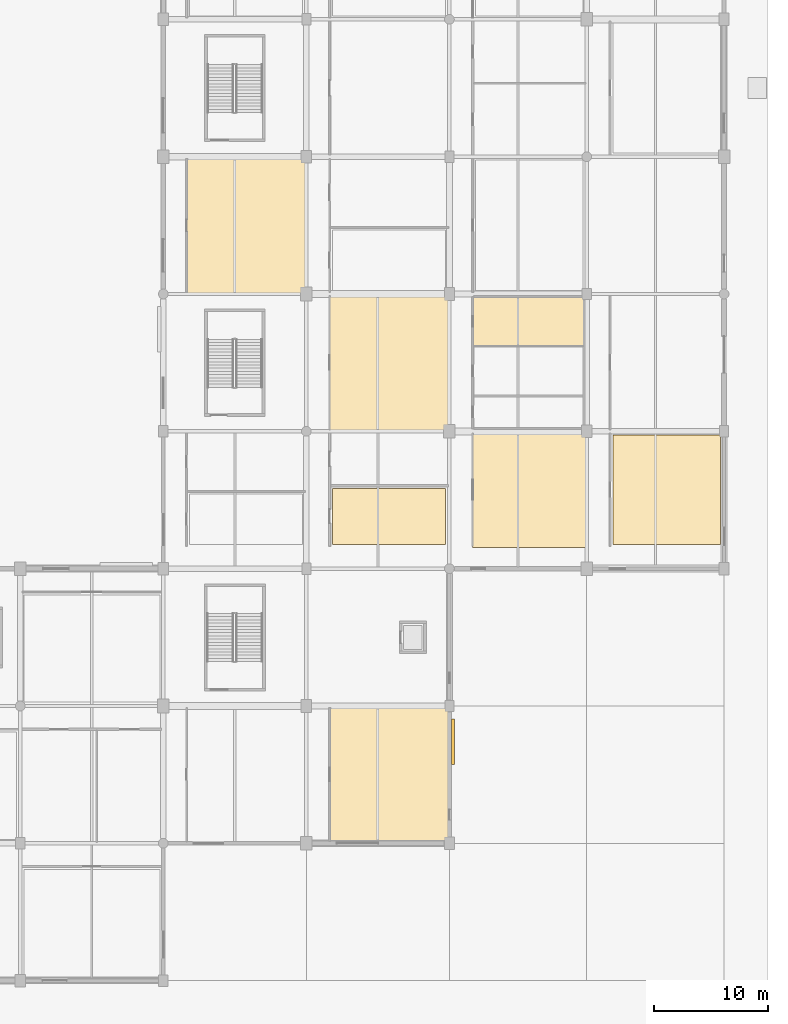
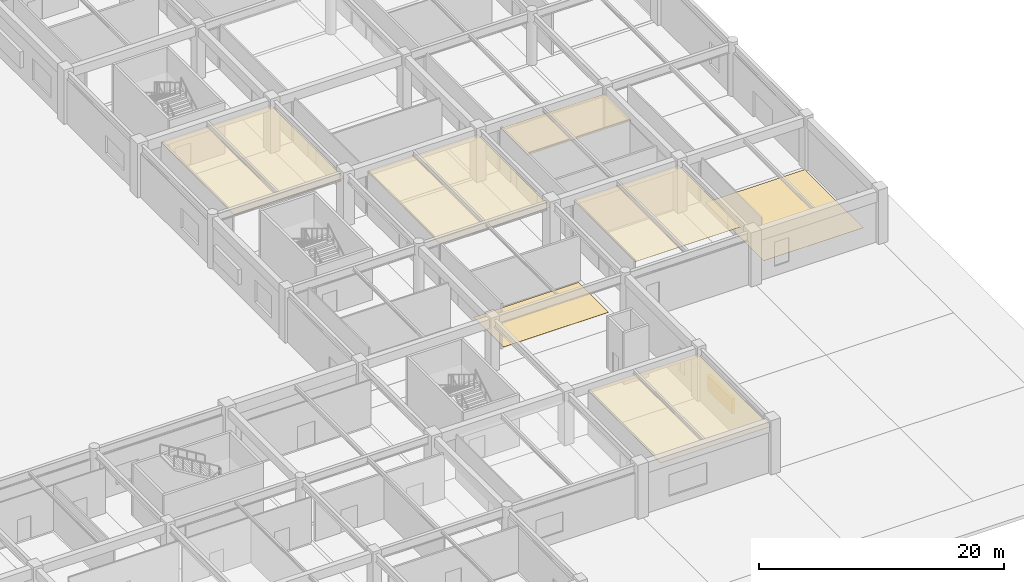
# One storey, part 54 of 69: 7 coverings, 1 shading device.
"""IFC4 building model written with IfcOpenShell, lengths in metres."""

from ifc_helpers import new_model, si_unit, direction, frame, origin, origin_2d, place, context, subcontext, project, spatial, polyline, rectangle, outline, extrude, material, layer, layer_set, type_object, element, save


model = new_model("IFC4")

# Units and contexts
model_context = context("Model", 3, precision=1e-05, world=origin(), true_north=direction((0.0, 1.0)))
body_context = subcontext(model_context, "Body", "Model", "MODEL_VIEW")
ifc_project = project(units=[si_unit("LENGTHUNIT", "METRE"), si_unit("AREAUNIT", "SQUARE_METRE"), si_unit("VOLUMEUNIT", "CUBIC_METRE"), si_unit("PLANEANGLEUNIT", "RADIAN"), si_unit("MASSUNIT", "GRAM", prefix="KILO")], contexts=[model_context])

# Site, building, storey
site_placement = place(None, origin())
site = spatial("IfcSite", under=ifc_project, at=site_placement, CompositionType="ELEMENT")
building_placement = place(site_placement, origin())
building = spatial("IfcBuilding", under=site, at=building_placement, Name="Kazenohara Klinker Stadium", CompositionType="ELEMENT")
storey_placement = place(building_placement, origin())
storey = spatial("IfcBuildingStorey", under=building, at=storey_placement, Name="L00", CompositionType="ELEMENT", Elevation=0.0)

# Coverings
ifc_material_1 = material(Name="Perforated acoustic mineral-fibre ceiling tile", Category="gypsum")
ifc_layer_1 = layer(ifc_material_1, 0.030029296875)
ifc_layer_set_1 = layer_set([ifc_layer_1], Name="Perforated acoustic mineral-fibre ceiling tile")
covering_type_1 = type_object("IfcCoveringType", Name="COV-CEIL-01", PredefinedType="CEILING", material=ifc_layer_set_1)
covering_1_placement = place(storey_placement, frame((0.0, 0.0, 4.35009765625)))
element("IfcCovering", 1, at=covering_1_placement, inside=storey, type_object=covering_type_1, Name="Suspended acoustic ceiling CL01 Supporter Merchandising Retail Shop L00-1504A", PredefinedType="CEILING", context=body_context, shape_type="SweptSolid", body=[
    extrude(outline(polyline([(189.510009765625, 48.0400390625), (199.93994140625, 48.0400390625), (199.93994140625, 59.9599609375), (189.510009765625, 59.9599609375), (189.510009765625, 48.0400390625)])), origin(), (0.0, 0.0, 1.0), 0.02978515625),
])
covering_2_placement = place(storey_placement, frame((0.0, 0.0, 4.35009765625)))
element("IfcCovering", 2, at=covering_2_placement, inside=storey, type_object=covering_type_1, Name="Suspended acoustic ceiling CL01 Civic Stadium Heritage Museum Exhibition Gallery L00-1603A", PredefinedType="CEILING", context=body_context, shape_type="SweptSolid", body=[
    extrude(outline(polyline([(202.010009765625, 37.85009765625), (211.93994140625, 37.85009765625), (211.93994140625, 47.9599609375), (202.010009765625, 47.9599609375), (202.010009765625, 37.85009765625)])), origin(), (0.0, 0.0, 1.0), 0.02978515625),
])
ifc_material_2 = material(Name="Slatted Hokkaido cedar acoustic baffle ceiling", Category="wood")
ifc_layer_2 = layer(ifc_material_2, 0.0400390625)
ifc_layer_set_2 = layer_set([ifc_layer_2], Name="Slatted Hokkaido cedar acoustic baffle ceiling")
covering_type_2 = type_object("IfcCoveringType", Name="COV-CEIL-02", PredefinedType="CEILING", material=ifc_layer_set_2)
covering_3_placement = place(storey_placement, frame((0.0, 0.0, 4.340087890625)))
element("IfcCovering", 3, at=covering_3_placement, inside=storey, type_object=covering_type_2, Name="Suspended acoustic ceiling CL02 Supporter Merchandising Retail Shop L00-1405A", PredefinedType="CEILING", context=body_context, shape_type="SweptSolid", body=[
    extrude(outline(polyline([(177.010009765625, 60.0400390625), (187.43994140625, 60.0400390625), (187.43994140625, 71.9599609375), (177.010009765625, 71.9599609375), (177.010009765625, 60.0400390625)])), origin(), (0.0, 0.0, 1.0), 0.039794921875),
])
covering_4_placement = place(storey_placement, frame((0.0, 0.0, 4.340087890625)))
element("IfcCovering", 4, at=covering_4_placement, inside=storey, type_object=covering_type_2, Name="Suspended acoustic ceiling CL02 Spectator First-Aid Medical Clinic L00-1501A", PredefinedType="CEILING", context=body_context, shape_type="SweptSolid", body=[
    extrude(outline(polyline([(189.510009765625, 12.0400390625), (199.93994140625, 12.0400390625), (199.93994140625, 23.9599609375), (189.510009765625, 23.9599609375), (189.510009765625, 12.0400390625)])), origin(), (0.0, 0.0, 1.0), 0.039794921875),
])
covering_5_placement = place(storey_placement, frame((0.0, 0.0, 4.340087890625)))
element("IfcCovering", 5, at=covering_5_placement, inside=storey, type_object=covering_type_2, Name="Suspended acoustic ceiling CL02 Water Closet Restroom Female L00-1604C", PredefinedType="CEILING", context=body_context, shape_type="SweptSolid", body=[
    extrude(outline(polyline([(202.02001953125, 55.421142578125), (211.780029296875, 55.421142578125), (211.780029296875, 59.780029296875), (202.02001953125, 59.780029296875), (202.02001953125, 55.421142578125)])), origin(), (0.0, 0.0, 1.0), 0.039794921875),
])
ifc_material_3 = material(Name="Cushioned EPDM sports rubber flooring", Category="rubber")
ifc_layer_3 = layer(ifc_material_3, 0.014892578125)
ifc_layer_set_3 = layer_set([ifc_layer_3], Name="Cushioned EPDM sports rubber flooring")
covering_type_3 = type_object("IfcCoveringType", Name="COV-FLR-02", PredefinedType="FLOORING", material=ifc_layer_set_3)
covering_6_placement = place(storey_placement, origin())
element("IfcCovering", 6, at=covering_6_placement, inside=storey, type_object=covering_type_3, Name="Interior floor finish FL02 Civic Stadium Heritage Museum Exhibition Gallery L00-1503A", PredefinedType="FLOORING", context=body_context, shape_type="SweptSolid", body=[
    extrude(outline(polyline([(189.780029296875, 38.1201171875), (199.669921875, 38.1201171875), (199.669921875, 43.0205078125), (189.780029296875, 43.0205078125), (189.780029296875, 38.1201171875)])), origin(), (0.0, 0.0, 1.0), 0.014892578125),
])
covering_7_placement = place(storey_placement, origin())
element("IfcCovering", 7, at=covering_7_placement, inside=storey, type_object=covering_type_3, Name="Interior floor finish FL02 Spectator First-Aid Medical Clinic L00-1703A", PredefinedType="FLOORING", context=body_context, shape_type="SweptSolid", body=[
    extrude(outline(polyline([(214.280029296875, 38.1201171875), (223.669921875, 38.1201171875), (223.669921875, 47.68994140625), (214.280029296875, 47.68994140625), (214.280029296875, 38.1201171875)])), origin(), (0.0, 0.0, 1.0), 0.014892578125),
])

# Shading device
ifc_material_4 = material(Name="Perforated clinker-brick and bronze louvre grille", Category="masonry")
shading_device_type = type_object("IfcShadingDeviceType", Name="SHD-LOUV-02", PredefinedType="JALOUSIE", material=ifc_material_4)
shading_device_placement = place(storey_placement, frame((200.31494140625, 20.869873046875, 1.35009765625), z_axis=(0.0, 0.0, 1.0), x_axis=(0.0, 1.0, 0.0)))
element("IfcShadingDevice", 8, at=shading_device_placement, inside=storey, type_object=shading_device_type, Name="Perforated clinker-brick louvre screen LV02-13", PredefinedType="JALOUSIE", context=body_context, shape_type="SweptSolid", body=[
    extrude(rectangle(XDim=4.0, YDim=0.300048828125, at=origin_2d()), origin(), (0.0, 0.0, 1.0), 1.5),
])

save(model, "model.ifc")
